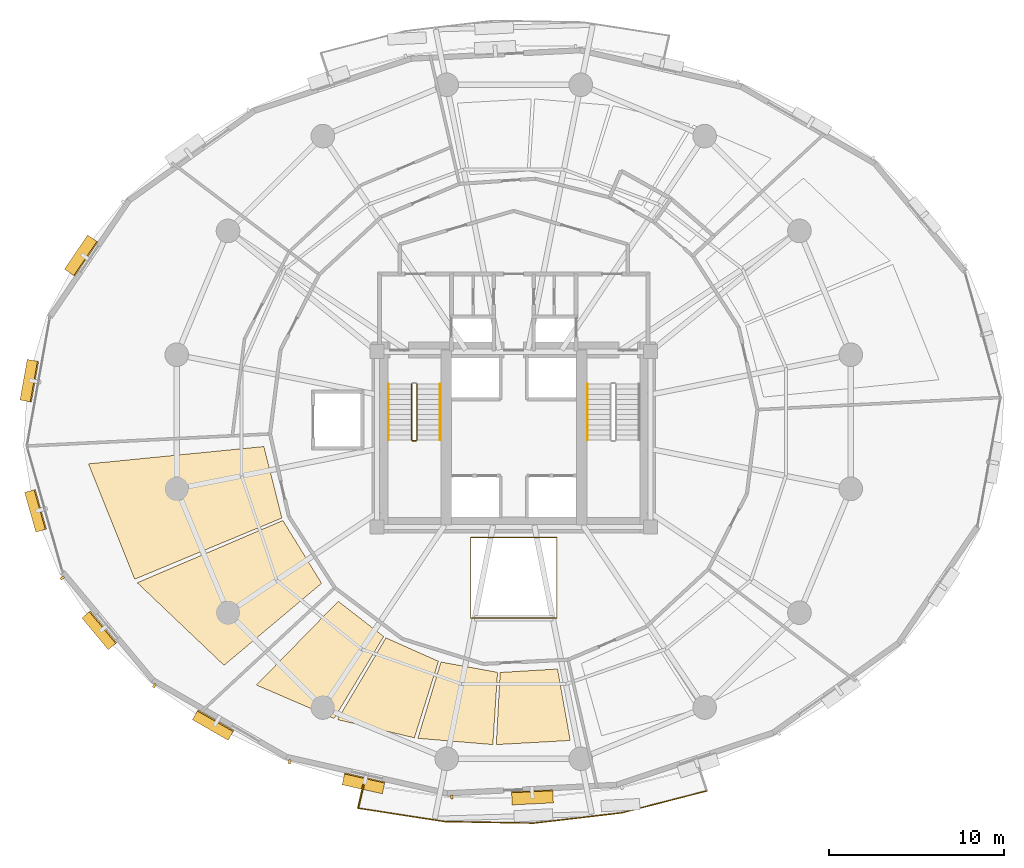
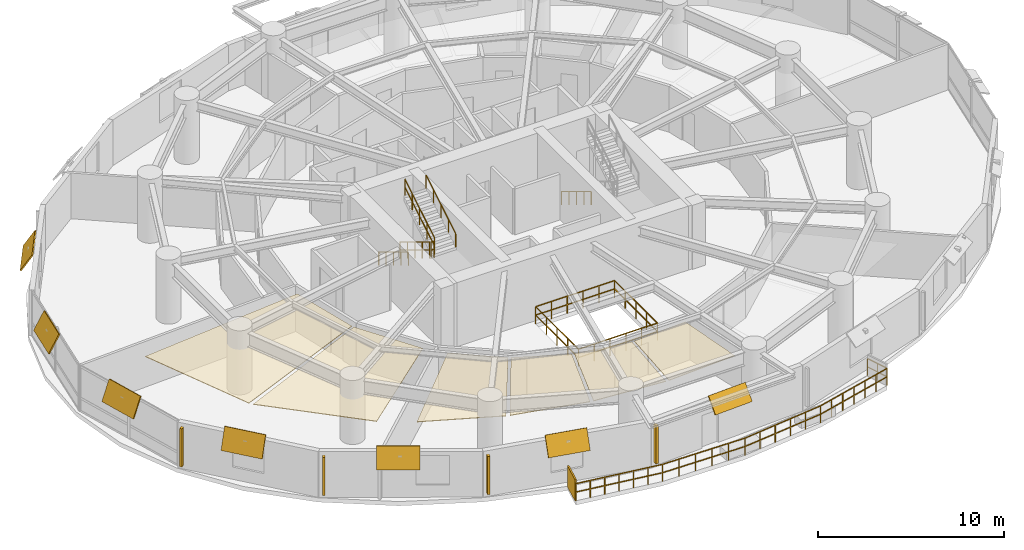
# One storey, part 14 of 16: 12 shading devices, 8 railings, 6 coverings.
"""IFC4 building model written with IfcOpenShell, lengths in metres."""

from ifc_helpers import new_model, si_unit, direction, frame, origin, origin_2d, place, context, subcontext, project, spatial, polyline, rectangle, outline, extrude, material, layer, layer_set, type_object, element, save


model = new_model("IFC4")

# Units and contexts
model_context = context("Model", 3, precision=1e-05, world=origin(), true_north=direction((0.0, 1.0)))
body_context = subcontext(model_context, "Body", "Model", "MODEL_VIEW")
ifc_project = project(units=[si_unit("LENGTHUNIT", "METRE"), si_unit("AREAUNIT", "SQUARE_METRE"), si_unit("VOLUMEUNIT", "CUBIC_METRE"), si_unit("PLANEANGLEUNIT", "RADIAN"), si_unit("MASSUNIT", "GRAM", prefix="KILO"), si_unit("THERMODYNAMICTEMPERATUREUNIT", "KELVIN"), si_unit("POWERUNIT", "WATT")], contexts=[model_context])

# Site, building, storey
site_placement = place(None, origin())
site = spatial("IfcSite", under=ifc_project, at=site_placement, CompositionType="ELEMENT")
building_placement = place(site_placement, origin())
building = spatial("IfcBuilding", under=site, at=building_placement, Name="Ocrelia Relay Tower", CompositionType="ELEMENT")
storey_placement = place(building_placement, frame((0.0, 0.0, 42.60009765625)))
storey = spatial("IfcBuildingStorey", under=building, at=storey_placement, Name="L09", CompositionType="ELEMENT", Elevation=42.60009765625)

# Coverings
ifc_material_1 = material(Name="Mineral-fiber acoustic ceiling tile", Category="gypsum")
ifc_layer_1 = layer(ifc_material_1, 0.0400390625, Name="Mineral-fiber acoustic ceiling tile")
ifc_layer_set_1 = layer_set([ifc_layer_1], Name="Mineral-fiber acoustic ceiling tile")
covering_type_1 = type_object("IfcCoveringType", Name="COV-CEIL-ACOUSTIC", PredefinedType="CEILING", material=ifc_layer_set_1)
covering_1_placement = place(storey_placement, frame((0.0, 0.0, 2.919921875)))
element("IfcCovering", 1, at=covering_1_placement, inside=storey, type_object=covering_type_1, Name="L09 Routing Office D Suspended Ceiling 1", PredefinedType="CEILING", context=body_context, shape_type="SweptSolid", body=[
    extrude(outline(polyline([(19.74951171875, 24.590087890625), (9.740478515625, 23.60009765625), (12.378173828125, 17.021728515625), (20.77490234375, 20.50830078125), (19.74951171875, 24.590087890625)])), origin(), (0.0, 0.0, 1.0), 0.0400390625),
])
covering_2_placement = place(storey_placement, frame((0.0, 0.0, 2.919921875)))
element("IfcCovering", 2, at=covering_2_placement, inside=storey, type_object=covering_type_1, Name="L09 Routing Office D Suspended Ceiling 2", PredefinedType="CEILING", context=body_context, shape_type="SweptSolid", body=[
    extrude(outline(polyline([(20.8330078125, 20.3701171875), (12.523681640625, 16.8173828125), (17.473388671875, 12.10791015625), (23.038330078125, 16.78564453125), (20.8330078125, 20.3701171875)])), origin(), (0.0, 0.0, 1.0), 0.0400390625),
])
ifc_material_2 = material(Name="Cleanroom metal-pan acoustic ceiling", Category="aluminium")
ifc_layer_2 = layer(ifc_material_2, 0.0400390625, Name="Cleanroom metal-pan acoustic ceiling")
ifc_layer_set_2 = layer_set([ifc_layer_2], Name="Cleanroom metal-pan acoustic ceiling")
covering_type_2 = type_object("IfcCoveringType", Name="COV-CEIL-CLEAN", PredefinedType="CEILING", material=ifc_layer_set_2)
covering_3_placement = place(storey_placement, frame((0.0, 0.0, 2.919921875)))
element("IfcCovering", 3, at=covering_3_placement, inside=storey, type_object=covering_type_2, Name="L09 Colocation Data Hall A Suspended Ceiling 1", PredefinedType="CEILING", context=body_context, shape_type="SweptSolid", body=[
    extrude(outline(polyline([(23.98974609375, 15.760009765625), (19.32080078125, 10.98388671875), (23.75, 9.075439453125), (26.581787109375, 13.751220703125), (23.98974609375, 15.760009765625)])), origin(), (0.0, 0.0, 1.0), 0.0400390625),
])
covering_4_placement = place(storey_placement, frame((0.0, 0.0, 2.919921875)))
element("IfcCovering", 4, at=covering_4_placement, inside=storey, type_object=covering_type_2, Name="L09 Colocation Data Hall A Suspended Ceiling 2", PredefinedType="CEILING", context=body_context, shape_type="SweptSolid", body=[
    extrude(outline(polyline([(26.71044921875, 13.67431640625), (23.9521484375, 9.010009765625), (28.333251953125, 7.97265625), (29.705810546875, 12.339111328125), (26.71044921875, 13.67431640625)])), origin(), (0.0, 0.0, 1.0), 0.0400390625),
])
covering_5_placement = place(storey_placement, frame((0.0, 0.0, 2.919921875)))
element("IfcCovering", 5, at=covering_5_placement, inside=storey, type_object=covering_type_2, Name="L09 Colocation Data Hall A Suspended Ceiling 3", PredefinedType="CEILING", context=body_context, shape_type="SweptSolid", body=[
    extrude(outline(polyline([(29.84912109375, 12.294921875), (28.53076171875, 7.94189453125), (32.809326171875, 7.586669921875), (33.075927734375, 11.709716796875), (29.84912109375, 12.294921875)])), origin(), (0.0, 0.0, 1.0), 0.0400390625),
])
covering_6_placement = place(storey_placement, frame((0.0, 0.0, 2.919921875)))
element("IfcCovering", 6, at=covering_6_placement, inside=storey, type_object=covering_type_2, Name="L09 Colocation Data Hall A Suspended Ceiling 4", PredefinedType="CEILING", context=body_context, shape_type="SweptSolid", body=[
    extrude(outline(polyline([(33.2255859375, 11.700927734375), (33.002685546875, 7.584228515625), (37.221923828125, 7.820556640625), (36.498779296875, 11.899658203125), (33.2255859375, 11.700927734375)])), origin(), (0.0, 0.0, 1.0), 0.0400390625),
])

# Railings
ifc_material_3 = material(Name="Steel S355 balustrade", Category="steel")
railing_type_1 = type_object("IfcRailingType", Name="RL-EXT-GUARD-1150", PredefinedType="GUARDRAIL", material=ifc_material_3)
railing_1_placement = place(storey_placement, frame((44.578857421875, 6.269287109375, 0.0)))
element("IfcRailing", 7, at=railing_1_placement, inside=storey, type_object=railing_type_1, Name="L09 Loggia Balcony Guard Rail B2", PredefinedType="GUARDRAIL", context=body_context, shape_type="SweptSolid", body=[
    extrude(rectangle(XDim=0.048095703125, YDim=0.048095703125, at=origin_2d()), frame((0.0, 0.0, 1.1259765625), z_axis=(0.317489032243, -0.948261943983, 0.0), x_axis=(0.948261943983, 0.317489032243, 0.0)), (0.0, 0.0, 1.0), 1.393310546875),
    extrude(rectangle(XDim=0.048095703125, YDim=0.048095703125, at=origin_2d()), frame((0.0, 0.0, 0.574951171875), z_axis=(0.317489032243, -0.948261943983, 0.0), x_axis=(0.948261943983, 0.317489032243, 0.0)), (0.0, 0.0, 1.0), 1.393310546875),
    extrude(rectangle(XDim=0.048095703125, YDim=0.048095703125, at=origin_2d()), frame((0.4423828125, -1.3212890625, 1.1259765625), z_axis=(-0.96825069539, -0.249981181044, 0.0), x_axis=(0.249981181044, -0.96825069539, 0.0)), (0.0, 0.0, 1.0), 2.505126953125),
    extrude(rectangle(XDim=0.048095703125, YDim=0.048095703125, at=origin_2d()), frame((0.4423828125, -1.3212890625, 0.574951171875), z_axis=(-0.96825069539, -0.249981181044, 0.0), x_axis=(0.249981181044, -0.96825069539, 0.0)), (0.0, 0.0, 1.0), 2.505126953125),
    extrude(rectangle(XDim=0.048095703125, YDim=0.048095703125, at=origin_2d()), frame((-1.983154296875, -1.947509765625, 1.1259765625), z_axis=(-0.968244604286, -0.250004772498, 0.0), x_axis=(0.250004772498, -0.968244604286, 0.0)), (0.0, 0.0, 1.0), 2.5048828125),
    extrude(rectangle(XDim=0.048095703125, YDim=0.048095703125, at=origin_2d()), frame((-1.983154296875, -1.947509765625, 0.574951171875), z_axis=(-0.968244604286, -0.250004772498, 0.0), x_axis=(0.250004772498, -0.968244604286, 0.0)), (0.0, 0.0, 1.0), 2.5048828125),
    extrude(rectangle(XDim=0.048095703125, YDim=0.048095703125, at=origin_2d()), frame((-4.408447265625, -2.57373046875, 1.1259765625), z_axis=(-0.993184779618, -0.116550390542, 0.0), x_axis=(0.116550390542, -0.993184779618, 0.0)), (0.0, 0.0, 1.0), 5.06494140625),
    extrude(rectangle(XDim=0.048095703125, YDim=0.048095703125, at=origin_2d()), frame((-4.408447265625, -2.57373046875, 0.574951171875), z_axis=(-0.993184779618, -0.116550390542, 0.0), x_axis=(0.116550390542, -0.993184779618, 0.0)), (0.0, 0.0, 1.0), 5.06494140625),
    extrude(rectangle(XDim=0.048095703125, YDim=0.048095703125, at=origin_2d()), frame((-9.43896484375, -3.1640625, 1.1259765625), z_axis=(-0.999849446134, 0.01735180296, 0.0), x_axis=(-0.01735180296, -0.999849446134, 0.0)), (0.0, 0.0, 1.0), 5.065185546875),
    extrude(rectangle(XDim=0.048095703125, YDim=0.048095703125, at=origin_2d()), frame((-9.43896484375, -3.1640625, 0.574951171875), z_axis=(-0.999849446134, 0.01735180296, 0.0), x_axis=(-0.01735180296, -0.999849446134, 0.0)), (0.0, 0.0, 1.0), 5.065185546875),
    extrude(rectangle(XDim=0.048095703125, YDim=0.048095703125, at=origin_2d()), frame((-14.50341796875, -3.076171875, 1.1259765625), z_axis=(-0.988298343166, 0.152533225548, 0.0), x_axis=(-0.152533225548, -0.988298343166, 0.0)), (0.0, 0.0, 1.0), 2.5048828125),
    extrude(rectangle(XDim=0.048095703125, YDim=0.048095703125, at=origin_2d()), frame((-14.50341796875, -3.076171875, 0.574951171875), z_axis=(-0.988298343166, 0.152533225548, 0.0), x_axis=(-0.152533225548, -0.988298343166, 0.0)), (0.0, 0.0, 1.0), 2.5048828125),
    extrude(rectangle(XDim=0.048095703125, YDim=0.048095703125, at=origin_2d()), frame((-16.97900390625, -2.694091796875, 1.1259765625), z_axis=(-0.988300610504, 0.152518534211, 0.0), x_axis=(-0.152518534211, -0.988300610504, 0.0)), (0.0, 0.0, 1.0), 2.505126953125),
    extrude(rectangle(XDim=0.048095703125, YDim=0.048095703125, at=origin_2d()), frame((-16.97900390625, -2.694091796875, 0.574951171875), z_axis=(-0.988300610504, 0.152518534211, 0.0), x_axis=(-0.152518534211, -0.988300610504, 0.0)), (0.0, 0.0, 1.0), 2.505126953125),
    extrude(rectangle(XDim=0.048095703125, YDim=0.048095703125, at=origin_2d()), frame((-19.454833984375, -2.31201171875, 1.1259765625), z_axis=(0.221787683593, 0.975094981736, 0.0), x_axis=(-0.975094981736, 0.221787683593, 0.0)), (0.0, 0.0, 1.0), 1.3935546875),
    extrude(rectangle(XDim=0.048095703125, YDim=0.048095703125, at=origin_2d()), frame((-19.454833984375, -2.31201171875, 0.574951171875), z_axis=(0.221787683593, 0.975094981736, 0.0), x_axis=(-0.975094981736, 0.221787683593, 0.0)), (0.0, 0.0, 1.0), 1.3935546875),
    extrude(rectangle(XDim=0.0419921875, YDim=0.0419921875, at=origin_2d()), origin(), (0.0, 0.0, 1.0), 1.101806640625),
    extrude(rectangle(XDim=0.0419921875, YDim=0.0419921875, at=origin_2d()), frame((0.22119140625, -0.66064453125, 0.0)), (0.0, 0.0, 1.0), 1.101806640625),
    extrude(rectangle(XDim=0.0419921875, YDim=0.0419921875, at=origin_2d()), frame((0.4423828125, -1.3212890625, 0.0)), (0.0, 0.0, 1.0), 1.101806640625),
    extrude(rectangle(XDim=0.0419921875, YDim=0.0419921875, at=origin_2d()), frame((-0.3662109375, -1.530029296875, 0.0)), (0.0, 0.0, 1.0), 1.101806640625),
    extrude(rectangle(XDim=0.0419921875, YDim=0.0419921875, at=origin_2d()), frame((-1.174560546875, -1.73876953125, 0.0)), (0.0, 0.0, 1.0), 1.101806640625),
    extrude(rectangle(XDim=0.0419921875, YDim=0.0419921875, at=origin_2d()), frame((-1.983154296875, -1.947509765625, 0.0)), (0.0, 0.0, 1.0), 1.101806640625),
    extrude(rectangle(XDim=0.0419921875, YDim=0.0419921875, at=origin_2d()), frame((-2.79150390625, -2.15625, 0.0)), (0.0, 0.0, 1.0), 1.101806640625),
    extrude(rectangle(XDim=0.0419921875, YDim=0.0419921875, at=origin_2d()), frame((-3.60009765625, -2.364990234375, 0.0)), (0.0, 0.0, 1.0), 1.101806640625),
    extrude(rectangle(XDim=0.0419921875, YDim=0.0419921875, at=origin_2d()), frame((-4.408447265625, -2.57373046875, 0.0)), (0.0, 0.0, 1.0), 1.101806640625),
    extrude(rectangle(XDim=0.0419921875, YDim=0.0419921875, at=origin_2d()), frame((-5.41455078125, -2.69189453125, 0.0)), (0.0, 0.0, 1.0), 1.101806640625),
    extrude(rectangle(XDim=0.0419921875, YDim=0.0419921875, at=origin_2d()), frame((-6.420654296875, -2.809814453125, 0.0)), (0.0, 0.0, 1.0), 1.101806640625),
    extrude(rectangle(XDim=0.0419921875, YDim=0.0419921875, at=origin_2d()), frame((-7.4267578125, -2.927978515625, 0.0)), (0.0, 0.0, 1.0), 1.101806640625),
    extrude(rectangle(XDim=0.0419921875, YDim=0.0419921875, at=origin_2d()), frame((-8.432861328125, -3.0458984375, 0.0)), (0.0, 0.0, 1.0), 1.101806640625),
    extrude(rectangle(XDim=0.0419921875, YDim=0.0419921875, at=origin_2d()), frame((-9.43896484375, -3.1640625, 0.0)), (0.0, 0.0, 1.0), 1.101806640625),
    extrude(rectangle(XDim=0.0419921875, YDim=0.0419921875, at=origin_2d()), frame((-10.451904296875, -3.146484375, 0.0)), (0.0, 0.0, 1.0), 1.101806640625),
    extrude(rectangle(XDim=0.0419921875, YDim=0.0419921875, at=origin_2d()), frame((-11.46484375, -3.12890625, 0.0)), (0.0, 0.0, 1.0), 1.101806640625),
    extrude(rectangle(XDim=0.0419921875, YDim=0.0419921875, at=origin_2d()), frame((-12.4775390625, -3.111328125, 0.0)), (0.0, 0.0, 1.0), 1.101806640625),
    extrude(rectangle(XDim=0.0419921875, YDim=0.0419921875, at=origin_2d()), frame((-13.490478515625, -3.09375, 0.0)), (0.0, 0.0, 1.0), 1.101806640625),
    extrude(rectangle(XDim=0.0419921875, YDim=0.0419921875, at=origin_2d()), frame((-14.50341796875, -3.076171875, 0.0)), (0.0, 0.0, 1.0), 1.101806640625),
    extrude(rectangle(XDim=0.0419921875, YDim=0.0419921875, at=origin_2d()), frame((-15.32861328125, -2.94873046875, 0.0)), (0.0, 0.0, 1.0), 1.101806640625),
    extrude(rectangle(XDim=0.0419921875, YDim=0.0419921875, at=origin_2d()), frame((-16.15380859375, -2.821533203125, 0.0)), (0.0, 0.0, 1.0), 1.101806640625),
    extrude(rectangle(XDim=0.0419921875, YDim=0.0419921875, at=origin_2d()), frame((-16.97900390625, -2.694091796875, 0.0)), (0.0, 0.0, 1.0), 1.101806640625),
    extrude(rectangle(XDim=0.0419921875, YDim=0.0419921875, at=origin_2d()), frame((-17.80419921875, -2.566650390625, 0.0)), (0.0, 0.0, 1.0), 1.101806640625),
    extrude(rectangle(XDim=0.0419921875, YDim=0.0419921875, at=origin_2d()), frame((-18.629638671875, -2.439453125, 0.0)), (0.0, 0.0, 1.0), 1.101806640625),
    extrude(rectangle(XDim=0.0419921875, YDim=0.0419921875, at=origin_2d()), frame((-19.454833984375, -2.31201171875, 0.0)), (0.0, 0.0, 1.0), 1.101806640625),
    extrude(rectangle(XDim=0.0419921875, YDim=0.0419921875, at=origin_2d()), frame((-19.30029296875, -1.632568359375, 0.0)), (0.0, 0.0, 1.0), 1.101806640625),
    extrude(rectangle(XDim=0.0419921875, YDim=0.0419921875, at=origin_2d()), frame((-19.145751953125, -0.953125, 0.0)), (0.0, 0.0, 1.0), 1.101806640625),
])
ifc_material_4 = material(Name="Steel S355 atrium balustrade", Category="steel")
railing_type_2 = type_object("IfcRailingType", Name="RL-INT-GUARD-115", PredefinedType="GUARDRAIL", material=ifc_material_4)
railing_2_placement = place(storey_placement, frame((31.550048828125, 14.800048828125, 0.0)))
element("IfcRailing", 8, at=railing_2_placement, inside=storey, type_object=railing_type_2, Name="L09 Multi-Zone Interior Atrium Guard", PredefinedType="GUARDRAIL", context=body_context, shape_type="SweptSolid", body=[
    extrude(rectangle(XDim=0.048095703125, YDim=0.048095703125, at=origin_2d()), frame((0.0, 0.0, 1.1259765625), z_axis=(1.0, 0.0, 0.0), x_axis=(0.0, 1.0, 0.0)), (0.0, 0.0, 1.0), 4.89990234375),
    extrude(rectangle(XDim=0.048095703125, YDim=0.048095703125, at=origin_2d()), frame((0.0, 0.0, 0.574951171875), z_axis=(1.0, 0.0, 0.0), x_axis=(0.0, 1.0, 0.0)), (0.0, 0.0, 1.0), 4.89990234375),
    extrude(rectangle(XDim=0.048095703125, YDim=0.048095703125, at=origin_2d()), frame((4.89990234375, 0.0, 1.1259765625), z_axis=(0.0, 1.0, 0.0), x_axis=(-1.0, 0.0, 0.0)), (0.0, 0.0, 1.0), 4.599853515625),
    extrude(rectangle(XDim=0.048095703125, YDim=0.048095703125, at=origin_2d()), frame((4.89990234375, 0.0, 0.574951171875), z_axis=(0.0, 1.0, 0.0), x_axis=(-1.0, 0.0, 0.0)), (0.0, 0.0, 1.0), 4.599853515625),
    extrude(rectangle(XDim=0.048095703125, YDim=0.048095703125, at=origin_2d()), frame((4.89990234375, 4.599853515625, 1.1259765625), z_axis=(-1.0, 0.0, 0.0), x_axis=(0.0, -1.0, 0.0)), (0.0, 0.0, 1.0), 4.89990234375),
    extrude(rectangle(XDim=0.048095703125, YDim=0.048095703125, at=origin_2d()), frame((4.89990234375, 4.599853515625, 0.574951171875), z_axis=(-1.0, 0.0, 0.0), x_axis=(0.0, -1.0, 0.0)), (0.0, 0.0, 1.0), 4.89990234375),
    extrude(rectangle(XDim=0.048095703125, YDim=0.048095703125, at=origin_2d()), frame((0.0, 4.599853515625, 1.1259765625), z_axis=(0.0, -1.0, 0.0), x_axis=(1.0, 0.0, 0.0)), (0.0, 0.0, 1.0), 4.599853515625),
    extrude(rectangle(XDim=0.048095703125, YDim=0.048095703125, at=origin_2d()), frame((0.0, 4.599853515625, 0.574951171875), z_axis=(0.0, -1.0, 0.0), x_axis=(1.0, 0.0, 0.0)), (0.0, 0.0, 1.0), 4.599853515625),
    extrude(rectangle(XDim=0.0419921875, YDim=0.0419921875, at=origin_2d()), origin(), (0.0, 0.0, 1.0), 1.101806640625),
    extrude(rectangle(XDim=0.0419921875, YDim=0.0419921875, at=origin_2d()), frame((0.97998046875, 0.0, 0.0)), (0.0, 0.0, 1.0), 1.101806640625),
    extrude(rectangle(XDim=0.0419921875, YDim=0.0419921875, at=origin_2d()), frame((1.9599609375, 0.0, 0.0)), (0.0, 0.0, 1.0), 1.101806640625),
    extrude(rectangle(XDim=0.0419921875, YDim=0.0419921875, at=origin_2d()), frame((2.93994140625, 0.0, 0.0)), (0.0, 0.0, 1.0), 1.101806640625),
    extrude(rectangle(XDim=0.0419921875, YDim=0.0419921875, at=origin_2d()), frame((3.919921875, 0.0, 0.0)), (0.0, 0.0, 1.0), 1.101806640625),
    extrude(rectangle(XDim=0.0419921875, YDim=0.0419921875, at=origin_2d()), frame((4.89990234375, 0.0, 0.0)), (0.0, 0.0, 1.0), 1.101806640625),
    extrude(rectangle(XDim=0.0419921875, YDim=0.0419921875, at=origin_2d()), frame((4.89990234375, 1.14990234375, 0.0)), (0.0, 0.0, 1.0), 1.101806640625),
    extrude(rectangle(XDim=0.0419921875, YDim=0.0419921875, at=origin_2d()), frame((4.89990234375, 2.2998046875, 0.0)), (0.0, 0.0, 1.0), 1.101806640625),
    extrude(rectangle(XDim=0.0419921875, YDim=0.0419921875, at=origin_2d()), frame((4.89990234375, 3.449951171875, 0.0)), (0.0, 0.0, 1.0), 1.101806640625),
    extrude(rectangle(XDim=0.0419921875, YDim=0.0419921875, at=origin_2d()), frame((4.89990234375, 4.599853515625, 0.0)), (0.0, 0.0, 1.0), 1.101806640625),
    extrude(rectangle(XDim=0.0419921875, YDim=0.0419921875, at=origin_2d()), frame((3.919921875, 4.599853515625, 0.0)), (0.0, 0.0, 1.0), 1.101806640625),
    extrude(rectangle(XDim=0.0419921875, YDim=0.0419921875, at=origin_2d()), frame((2.93994140625, 4.599853515625, 0.0)), (0.0, 0.0, 1.0), 1.101806640625),
    extrude(rectangle(XDim=0.0419921875, YDim=0.0419921875, at=origin_2d()), frame((1.9599609375, 4.599853515625, 0.0)), (0.0, 0.0, 1.0), 1.101806640625),
    extrude(rectangle(XDim=0.0419921875, YDim=0.0419921875, at=origin_2d()), frame((0.97998046875, 4.599853515625, 0.0)), (0.0, 0.0, 1.0), 1.101806640625),
    extrude(rectangle(XDim=0.0419921875, YDim=0.0419921875, at=origin_2d()), frame((0.0, 4.599853515625, 0.0)), (0.0, 0.0, 1.0), 1.101806640625),
    extrude(rectangle(XDim=0.0419921875, YDim=0.0419921875, at=origin_2d()), frame((0.0, 3.449951171875, 0.0)), (0.0, 0.0, 1.0), 1.101806640625),
    extrude(rectangle(XDim=0.0419921875, YDim=0.0419921875, at=origin_2d()), frame((0.0, 2.2998046875, 0.0)), (0.0, 0.0, 1.0), 1.101806640625),
    extrude(rectangle(XDim=0.0419921875, YDim=0.0419921875, at=origin_2d()), frame((0.0, 1.14990234375, 0.0)), (0.0, 0.0, 1.0), 1.101806640625),
])
railing_type_3 = type_object("IfcRailingType", Name="RL-STAIR-GUARD", PredefinedType="GUARDRAIL", material=ifc_material_3)
railing_3_placement = place(storey_placement, frame((28.179931640625, 28.14990234375, 0.1748046875)))
element("IfcRailing", 9, at=railing_3_placement, inside=storey, type_object=railing_type_3, Name="L09 ST1 stair guard 1", PredefinedType="GUARDRAIL", context=body_context, shape_type="SweptSolid", body=[
    extrude(rectangle(XDim=0.048095703125, YDim=0.048095703125, at=origin_2d()), frame((0.0, 0.0, 1.076171875), z_axis=(0.0, -0.856177665481, 0.516681531633), x_axis=(1.0, 0.0, 0.0)), (0.0, 0.0, 1.0), 3.725830078125),
    extrude(rectangle(XDim=0.048095703125, YDim=0.048095703125, at=origin_2d()), frame((0.0, 0.0, 0.550048828125), z_axis=(0.0, -0.856177665481, 0.516681531633), x_axis=(1.0, 0.0, 0.0)), (0.0, 0.0, 1.0), 3.725830078125),
    extrude(rectangle(XDim=0.0419921875, YDim=0.0419921875, at=origin_2d()), origin(), (0.0, 0.0, 1.0), 1.052001953125),
    extrude(rectangle(XDim=0.0419921875, YDim=0.0419921875, at=origin_2d()), frame((0.0, -0.79736328125, 0.481201171875)), (0.0, 0.0, 1.0), 1.052001953125),
    extrude(rectangle(XDim=0.0419921875, YDim=0.0419921875, at=origin_2d()), frame((0.0, -1.594970703125, 0.96240234375)), (0.0, 0.0, 1.0), 1.052001953125),
    extrude(rectangle(XDim=0.0419921875, YDim=0.0419921875, at=origin_2d()), frame((0.0, -2.392578125, 1.44384765625)), (0.0, 0.0, 1.0), 1.052001953125),
    extrude(rectangle(XDim=0.0419921875, YDim=0.0419921875, at=origin_2d()), frame((0.0, -3.18994140625, 1.925048828125)), (0.0, 0.0, 1.0), 1.052001953125),
])
railing_4_placement = place(storey_placement, frame((28.22998046875, 24.909912109375, 2.099853515625)))
element("IfcRailing", 10, at=railing_4_placement, inside=storey, type_object=railing_type_3, Name="L09 ST1 stair guard 2", PredefinedType="GUARDRAIL", context=body_context, shape_type="SweptSolid", body=[
    extrude(rectangle(XDim=0.048095703125, YDim=0.048095703125, at=origin_2d()), frame((0.0, 0.0, 1.076171875), z_axis=(1.0, 0.0, 0.0), x_axis=(0.0, 1.0, 0.0)), (0.0, 0.0, 1.0), 0.199951171875),
    extrude(rectangle(XDim=0.048095703125, YDim=0.048095703125, at=origin_2d()), frame((0.0, 0.0, 0.550048828125), z_axis=(1.0, 0.0, 0.0), x_axis=(0.0, 1.0, 0.0)), (0.0, 0.0, 1.0), 0.199951171875),
    extrude(rectangle(XDim=0.0419921875, YDim=0.0419921875, at=origin_2d()), origin(), (0.0, 0.0, 1.0), 1.052001953125),
    extrude(rectangle(XDim=0.0419921875, YDim=0.0419921875, at=origin_2d()), frame((0.199951171875, 0.0, 0.0)), (0.0, 0.0, 1.0), 1.052001953125),
])
railing_5_placement = place(storey_placement, frame((28.47998046875, 24.9599609375, 2.27490234375)))
element("IfcRailing", 11, at=railing_5_placement, inside=storey, type_object=railing_type_3, Name="L09 ST1 stair guard 3", PredefinedType="GUARDRAIL", context=body_context, shape_type="SweptSolid", body=[
    extrude(rectangle(XDim=0.048095703125, YDim=0.048095703125, at=origin_2d()), frame((0.0, 0.0, 1.076171875), z_axis=(0.0, 0.856177665481, 0.516681531633), x_axis=(-1.0, 0.0, 0.0)), (0.0, 0.0, 1.0), 3.725830078125),
    extrude(rectangle(XDim=0.048095703125, YDim=0.048095703125, at=origin_2d()), frame((0.0, 0.0, 0.550048828125), z_axis=(0.0, 0.856177665481, 0.516681531633), x_axis=(-1.0, 0.0, 0.0)), (0.0, 0.0, 1.0), 3.725830078125),
    extrude(rectangle(XDim=0.0419921875, YDim=0.0419921875, at=origin_2d()), origin(), (0.0, 0.0, 1.0), 1.052001953125),
    extrude(rectangle(XDim=0.0419921875, YDim=0.0419921875, at=origin_2d()), frame((0.0, 0.79736328125, 0.481201171875)), (0.0, 0.0, 1.0), 1.052001953125),
    extrude(rectangle(XDim=0.0419921875, YDim=0.0419921875, at=origin_2d()), frame((0.0, 1.594970703125, 0.96240234375)), (0.0, 0.0, 1.0), 1.052001953125),
    extrude(rectangle(XDim=0.0419921875, YDim=0.0419921875, at=origin_2d()), frame((0.0, 2.392578125, 1.44384765625)), (0.0, 0.0, 1.0), 1.052001953125),
    extrude(rectangle(XDim=0.0419921875, YDim=0.0419921875, at=origin_2d()), frame((0.0, 3.18994140625, 1.925048828125)), (0.0, 0.0, 1.0), 1.052001953125),
])
ifc_material_5 = material(Name="Steel S355 tubular handrail", Category="steel")
railing_type_4 = type_object("IfcRailingType", Name="RL-STAIR-HAND", PredefinedType="HANDRAIL", material=ifc_material_5)
railing_6_placement = place(storey_placement, frame((26.860107421875, 28.14990234375, 0.1748046875)))
element("IfcRailing", 12, at=railing_6_placement, inside=storey, type_object=railing_type_4, Name="L09 ST1 stair handrail 1", PredefinedType="HANDRAIL", context=body_context, shape_type="SweptSolid", body=[
    extrude(rectangle(XDim=0.048095703125, YDim=0.048095703125, at=origin_2d()), frame((0.0, 0.0, 0.8759765625), z_axis=(0.0, -0.856177665481, 0.516681531633), x_axis=(1.0, 0.0, 0.0)), (0.0, 0.0, 1.0), 3.725830078125),
    extrude(rectangle(XDim=0.0419921875, YDim=0.0419921875, at=origin_2d()), origin(), (0.0, 0.0, 1.0), 0.851806640625),
    extrude(rectangle(XDim=0.0419921875, YDim=0.0419921875, at=origin_2d()), frame((0.0, -0.79736328125, 0.481201171875)), (0.0, 0.0, 1.0), 0.851806640625),
    extrude(rectangle(XDim=0.0419921875, YDim=0.0419921875, at=origin_2d()), frame((0.0, -1.594970703125, 0.96240234375)), (0.0, 0.0, 1.0), 0.851806640625),
    extrude(rectangle(XDim=0.0419921875, YDim=0.0419921875, at=origin_2d()), frame((0.0, -2.392578125, 1.44384765625)), (0.0, 0.0, 1.0), 0.851806640625),
    extrude(rectangle(XDim=0.0419921875, YDim=0.0419921875, at=origin_2d()), frame((0.0, -3.18994140625, 1.925048828125)), (0.0, 0.0, 1.0), 0.851806640625),
])
railing_7_placement = place(storey_placement, frame((29.800048828125, 24.9599609375, 2.27490234375)))
element("IfcRailing", 13, at=railing_7_placement, inside=storey, type_object=railing_type_4, Name="L09 ST1 stair handrail 2", PredefinedType="HANDRAIL", context=body_context, shape_type="SweptSolid", body=[
    extrude(rectangle(XDim=0.048095703125, YDim=0.048095703125, at=origin_2d()), frame((0.0, 0.0, 0.8759765625), z_axis=(0.0, 0.856177665481, 0.516681531633), x_axis=(-1.0, 0.0, 0.0)), (0.0, 0.0, 1.0), 3.725830078125),
    extrude(rectangle(XDim=0.0419921875, YDim=0.0419921875, at=origin_2d()), origin(), (0.0, 0.0, 1.0), 0.851806640625),
    extrude(rectangle(XDim=0.0419921875, YDim=0.0419921875, at=origin_2d()), frame((0.0, 0.79736328125, 0.481201171875)), (0.0, 0.0, 1.0), 0.851806640625),
    extrude(rectangle(XDim=0.0419921875, YDim=0.0419921875, at=origin_2d()), frame((0.0, 1.594970703125, 0.96240234375)), (0.0, 0.0, 1.0), 0.851806640625),
    extrude(rectangle(XDim=0.0419921875, YDim=0.0419921875, at=origin_2d()), frame((0.0, 2.392578125, 1.44384765625)), (0.0, 0.0, 1.0), 0.851806640625),
    extrude(rectangle(XDim=0.0419921875, YDim=0.0419921875, at=origin_2d()), frame((0.0, 3.18994140625, 1.925048828125)), (0.0, 0.0, 1.0), 0.851806640625),
])
railing_8_placement = place(storey_placement, frame((38.2099609375, 28.14990234375, 0.1748046875)))
element("IfcRailing", 14, at=railing_8_placement, inside=storey, type_object=railing_type_4, Name="L09 ST2 stair handrail 1", PredefinedType="HANDRAIL", context=body_context, shape_type="SweptSolid", body=[
    extrude(rectangle(XDim=0.048095703125, YDim=0.048095703125, at=origin_2d()), frame((0.0, 0.0, 0.8759765625), z_axis=(0.0, -0.856177665481, 0.516681531633), x_axis=(1.0, 0.0, 0.0)), (0.0, 0.0, 1.0), 3.725830078125),
    extrude(rectangle(XDim=0.0419921875, YDim=0.0419921875, at=origin_2d()), origin(), (0.0, 0.0, 1.0), 0.851806640625),
    extrude(rectangle(XDim=0.0419921875, YDim=0.0419921875, at=origin_2d()), frame((0.0, -0.79736328125, 0.481201171875)), (0.0, 0.0, 1.0), 0.851806640625),
    extrude(rectangle(XDim=0.0419921875, YDim=0.0419921875, at=origin_2d()), frame((0.0, -1.594970703125, 0.96240234375)), (0.0, 0.0, 1.0), 0.851806640625),
    extrude(rectangle(XDim=0.0419921875, YDim=0.0419921875, at=origin_2d()), frame((0.0, -2.392578125, 1.44384765625)), (0.0, 0.0, 1.0), 0.851806640625),
    extrude(rectangle(XDim=0.0419921875, YDim=0.0419921875, at=origin_2d()), frame((0.0, -3.18994140625, 1.925048828125)), (0.0, 0.0, 1.0), 0.851806640625),
])

# Shading devices
ifc_material_6 = material(Name="Perforated oxide terracotta solar screen", Category="masonry")
ifc_layer_3 = layer(ifc_material_6, 0.090087890625, Name="Perforated oxide terracotta solar screen")
ifc_layer_set_3 = layer_set([ifc_layer_3], Name="Perforated oxide terracotta solar screen")
shading_device_type_1 = type_object("IfcShadingDeviceType", Name="SH-BALC-SCREEN", PredefinedType="USERDEFINED", material=ifc_layer_set_3)
shading_device_1_placement = place(storey_placement, frame((25.278564453125, 4.63671875, 0.0), z_axis=(0.0, 0.0, 1.0), x_axis=(-0.221745170019, -0.975104650575, 0.0)))
element("IfcShadingDevice", 15, at=shading_device_1_placement, inside=storey, type_object=shading_device_type_1, Name="L09 Balcony Perforated Terracotta Screen B2-1", ObjectType="SCREEN", PredefinedType="USERDEFINED", context=body_context, shape_type="SweptSolid", body=[
    extrude(rectangle(XDim=1.340087890625, YDim=0.090087890625, at=origin_2d()), origin(), (0.0, 0.0, 1.0), 1.39990234375),
])
ifc_material_7 = material(Name="Extruded oxide terracotta vertical baguette", Category="masonry")
shading_device_type_2 = type_object("IfcShadingDeviceType", Name="SH-TERR-BAGUETTE", PredefinedType="USERDEFINED", material=ifc_material_7)
for number, where, z_axis, x_axis, name in (
    (16, (8.248291015625, 17.093505859375, 0.25), (0.0, 0.0, 1.0), (0.640772789184, -0.767730572949, 0.0), "L09 Oxide Terracotta Vertical Baguette 11"),
    (17, (13.504638671875, 10.94775390625, 0.25), (0.0, 0.0, 1.0), (0.867004455903, -0.498300384752, 0.0), "L09 Oxide Terracotta Vertical Baguette 12"),
    (18, (21.2177734375, 6.608154296875, 0.25), (0.0, 0.0, 1.0), (0.975411485946, -0.220391544947, 0.0), "L09 Oxide Terracotta Vertical Baguette 13"),
    (19, (30.47265625, 4.591796875, 0.25), (0.0, 0.0, 1.0), (0.998762880658, 0.049726333258, 0.0), "L09 Oxide Terracotta Vertical Baguette 14"),
):
    element("IfcShadingDevice", number, at=place(storey_placement, frame(where, z_axis=z_axis, x_axis=x_axis)), inside=storey, type_object=shading_device_type_2, Name=name, ObjectType="BAGUETTE", PredefinedType="USERDEFINED", context=body_context, shape_type="SweptSolid", body=[
        extrude(rectangle(XDim=0.139892578125, YDim=0.239990234375, at=origin_2d()), origin(), (0.0, 0.0, 1.0), 2.5),
    ])
ifc_material_8 = material(Name="Extruded oxide terracotta fin", Category="masonry")
ifc_layer_4 = layer(ifc_material_8, 0.080078125, Name="Extruded oxide terracotta fin")
ifc_layer_set_4 = layer_set([ifc_layer_4], Name="Extruded oxide terracotta fin")
shading_device_type_3 = type_object("IfcShadingDeviceType", Name="SH-VISOR-FIN-DEEP", PredefinedType="USERDEFINED", material=ifc_layer_set_4)
shading_device_2_placement = place(storey_placement, frame((9.356201171875, 35.457763671875, 2.819091796875), z_axis=(-0.706902717554, 0.479503342196, 0.519966434242), x_axis=(-0.561356604913, -0.827574022139, 0.0)))
element("IfcShadingDevice", 20, at=shading_device_2_placement, inside=storey, type_object=shading_device_type_3, Name="L09 Canted Terracotta Sun-Visor Fin 08", ObjectType="FIN", PredefinedType="USERDEFINED", context=body_context, shape_type="SweptSolid", body=[
    extrude(rectangle(XDim=2.35009765625, YDim=1.22802734375, at=origin_2d()), origin(), (0.0, 0.0, 1.0), 0.080078125),
])
shading_device_3_placement = place(storey_placement, frame((6.404296875, 28.335205078125, 2.821533203125), z_axis=(-0.875763738628, 0.1561509332, 0.456787434334), x_axis=(-0.175534136375, -0.984473344975, 0.0)))
element("IfcShadingDevice", 21, at=shading_device_3_placement, inside=storey, type_object=shading_device_type_3, Name="L09 Canted Terracotta Sun-Visor Fin 09", ObjectType="FIN", PredefinedType="USERDEFINED", context=body_context, shape_type="SweptSolid", body=[
    extrude(rectangle(XDim=2.35009765625, YDim=1.297119140625, at=origin_2d()), origin(), (0.0, 0.0, 1.0), 0.080078125),
])
shading_device_4_placement = place(storey_placement, frame((6.76220703125, 20.93359375, 2.822998046875), z_axis=(-0.873716830871, -0.247406927875, 0.418818232045), x_axis=(0.27245355901, -0.962168934326, 0.0)))
element("IfcShadingDevice", 22, at=shading_device_4_placement, inside=storey, type_object=shading_device_type_3, Name="L09 Canted Terracotta Sun-Visor Fin 10", ObjectType="FIN", PredefinedType="USERDEFINED", context=body_context, shape_type="SweptSolid", body=[
    extrude(rectangle(XDim=2.35009765625, YDim=1.3369140625, at=origin_2d()), origin(), (0.0, 0.0, 1.0), 0.080078125),
])
shading_device_5_placement = place(storey_placement, frame((10.388671875, 14.12744140625, 2.823486328125), z_axis=(-0.701302266553, -0.585329574246, 0.406896080641), x_axis=(0.640772789184, -0.767730572949, 0.0)))
element("IfcShadingDevice", 23, at=shading_device_5_placement, inside=storey, type_object=shading_device_type_3, Name="L09 Canted Terracotta Sun-Visor Fin 11", ObjectType="FIN", PredefinedType="USERDEFINED", context=body_context, shape_type="SweptSolid", body=[
    extrude(rectangle(XDim=2.35009765625, YDim=1.35009765625, at=origin_2d()), origin(), (0.0, 0.0, 1.0), 0.080078125),
])
shading_device_6_placement = place(storey_placement, frame((16.866943359375, 8.730224609375, 2.822509765625), z_axis=(-0.449833450009, -0.782675706274, 0.430196008887), x_axis=(0.867004455903, -0.498300384752, 0.0)))
element("IfcShadingDevice", 24, at=shading_device_6_placement, inside=storey, type_object=shading_device_type_3, Name="L09 Canted Terracotta Sun-Visor Fin 12", ObjectType="FIN", PredefinedType="USERDEFINED", context=body_context, shape_type="SweptSolid", body=[
    extrude(rectangle(XDim=2.35009765625, YDim=1.324951171875, at=origin_2d()), origin(), (0.0, 0.0, 1.0), 0.080078125),
])
shading_device_7_placement = place(storey_placement, frame((25.4404296875, 5.411376953125, 2.819580078125), z_axis=(-0.190304483349, -0.842251815648, 0.50437692518), x_axis=(0.975411485946, -0.220391544947, 0.0)))
element("IfcShadingDevice", 25, at=shading_device_7_placement, inside=storey, type_object=shading_device_type_3, Name="L09 Canted Terracotta Sun-Visor Fin 13", ObjectType="FIN", PredefinedType="USERDEFINED", context=body_context, shape_type="SweptSolid", body=[
    extrude(rectangle(XDim=2.35009765625, YDim=1.2451171875, at=origin_2d()), origin(), (0.0, 0.0, 1.0), 0.080078125),
])
ifc_layer_5 = layer(ifc_material_8, 0.080078125, Name="Extruded oxide terracotta fin")
ifc_layer_set_5 = layer_set([ifc_layer_5], Name="Extruded oxide terracotta fin")
shading_device_type_4 = type_object("IfcShadingDeviceType", Name="SH-VISOR-FIN-MED", PredefinedType="USERDEFINED", material=ifc_layer_set_5)
shading_device_8_placement = place(storey_placement, frame((35.064697265625, 4.61279296875, 2.814697265625), z_axis=(0.038671913339, -0.776732749773, 0.628641963719), x_axis=(0.998762880658, 0.049726333258, 0.0)))
element("IfcShadingDevice", 26, at=shading_device_8_placement, inside=storey, type_object=shading_device_type_4, Name="L09 Canted Terracotta Sun-Visor Fin 14", ObjectType="FIN", PredefinedType="USERDEFINED", context=body_context, shape_type="SweptSolid", body=[
    extrude(rectangle(XDim=2.35009765625, YDim=1.10107421875, at=origin_2d()), origin(), (0.0, 0.0, 1.0), 0.080078125),
])

save(model, "model.ifc")
